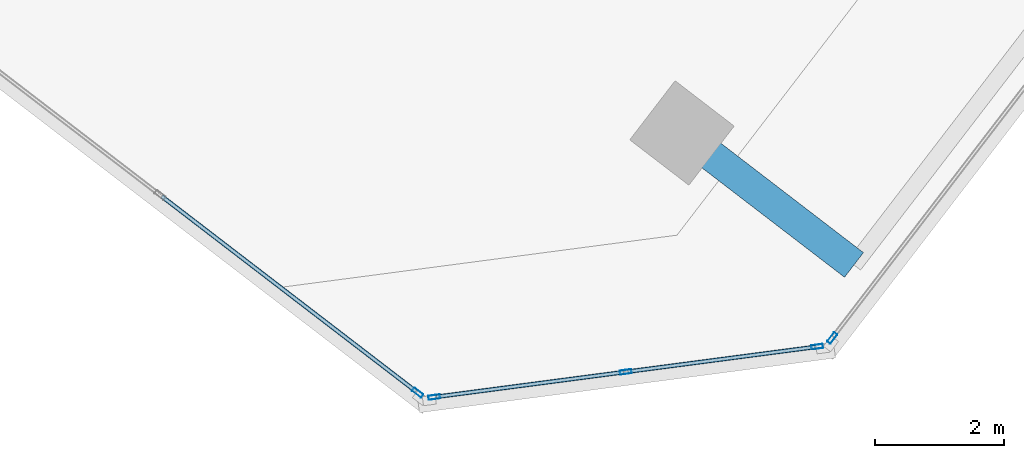
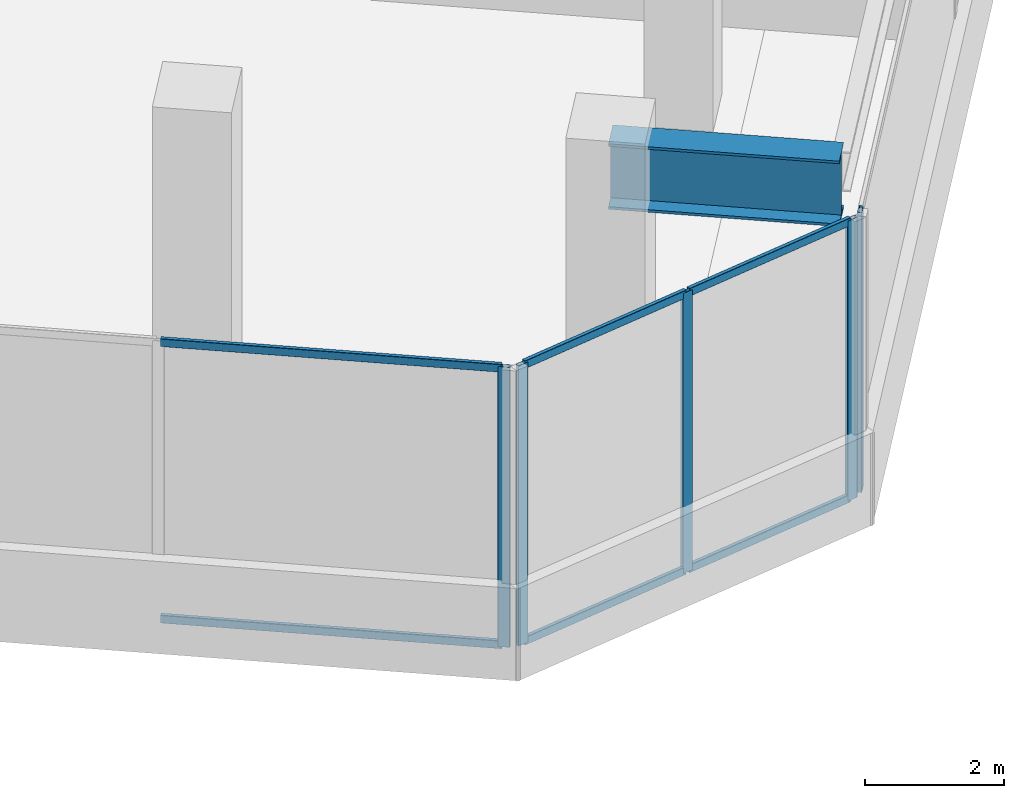
# One storey, part 6 of 23: 11 members, 1 beam, 3 elements without a shape of their own.
"""IFC4 building model written with IfcOpenShell, lengths in metres."""

from ifc_helpers import new_model, si_unit, direction, frame, origin, origin_2d, place, context, subcontext, project, spatial, hollow_rectangle, i_section, extrude, source, transform, mapped, material, material_profile, profile_set, type_object, element, aggregate, save


model = new_model("IFC4")

# Units and contexts
model_context = context("Model", 3, precision=1e-05, world=origin(), true_north=direction((0.0, 1.0)))
body_context = subcontext(model_context, "Body", "Model", "MODEL_VIEW")
ifc_project = project(units=[si_unit("LENGTHUNIT", "METRE"), si_unit("AREAUNIT", "SQUARE_METRE"), si_unit("VOLUMEUNIT", "CUBIC_METRE"), si_unit("PLANEANGLEUNIT", "RADIAN"), si_unit("MASSUNIT", "GRAM", prefix="KILO")], contexts=[model_context])

# Site, building, storey
site_placement = place(None, origin())
site = spatial("IfcSite", under=ifc_project, at=site_placement, CompositionType="ELEMENT")
building_placement = place(site_placement, origin())
building = spatial("IfcBuilding", under=site, at=building_placement, Name="Torre Montelarca", CompositionType="ELEMENT")
storey_placement = place(building_placement, frame((0.0, 0.0, 204.39990234375)))
storey = spatial("IfcBuildingStorey", under=building, at=storey_placement, Name="L46", CompositionType="ELEMENT", Elevation=204.39990234375)

# Beam
ifc_material_1 = material(Name="Steel ASTM A572 Grade 50", Category="steel")
ifc_material_profile_1 = material_profile(ifc_material_1, i_section(OverallWidth=0.47998046875, OverallDepth=1.14990234375, WebThickness=0.02197265625, FlangeThickness=0.044921875, at=origin_2d()), Name="PG1150X480X22X45", Category="steel")
ifc_profile_set_1 = profile_set([ifc_material_profile_1], Name="Steel ASTM A572 Grade 50")
beam_type = type_object("IfcBeamType", Name="BM-CG-PG1400-EXT", PredefinedType="USERDEFINED", material=ifc_profile_set_1)
shared_shape_1 = source(origin(), body_context, "Body", "SweptSolid", [
    extrude(i_section(OverallWidth=0.47998046875, OverallDepth=1.14990234375, WebThickness=0.02197265625, FlangeThickness=0.044921875, at=origin_2d()), origin(), (0.0, 0.0, 1.0), 3.349853515625),
])
beam_placement = place(storey_placement, frame((37.65380859375, 9.52099609375, 4.545166015625), z_axis=(0.793357620002, -0.608755851541, 0.0), x_axis=(0.608755851541, 0.793357620002, 0.0)))
element("IfcBeam", 1, at=beam_placement, inside=storey, type_object=beam_type, Name="L46 Sliding Tray Cantilever Girder East Y=24m (FLR)", ObjectType="CANTILEVER GIRDER", PredefinedType="USERDEFINED", context=body_context, shape_type="MappedRepresentation", body=[
    mapped(shared_shape_1, transform((0.0, 0.0, 0.0), scale=1.0)),
])

# Curtain wall, members
ifc_material_2 = material(Name="Insulated low-E laminated glass", Category="glass")
curtain_wall_type = type_object("IfcCurtainWallType", Name="CW-SYS-Z2", PredefinedType="USERDEFINED", material=ifc_material_2)
curtain_wall_1_placement = place(storey_placement, origin())
curtain_wall_1 = element("IfcCurtainWall", 2, at=curtain_wall_1_placement, inside=storey, type_object=curtain_wall_type, Name="L46 Curtain Wall Run CW-T3-L46-E05-B1", ObjectType="UNITISED GLAZING", PredefinedType="USERDEFINED")
ifc_material_3 = material(Name="Anodised aluminium AA 6063-T6", Category="aluminium")
ifc_material_profile_2 = material_profile(ifc_material_3, hollow_rectangle(XDim=0.06494140625, YDim=0.139892578125, WallThickness=0.00390625, InnerFilletRadius=0.00390625, OuterFilletRadius=0.008056640625, at=origin_2d()), Name="ALU65X140X4", Category="aluminium")
ifc_profile_set_2 = profile_set([ifc_material_profile_2], Name="Anodised aluminium AA 6063-T6")
member_type_1 = type_object("IfcMemberType", Name="CWT-ALU140", PredefinedType="USERDEFINED", material=ifc_profile_set_2)
shared_shape_2 = source(origin(), body_context, "Body", "SweptSolid", [
    extrude(hollow_rectangle(XDim=0.06494140625, YDim=0.139892578125, WallThickness=0.00390625, InnerFilletRadius=0.00390625, OuterFilletRadius=0.008056640625, at=origin_2d()), origin(), (0.0, 0.0, 1.0), 2.918701171875),
])
member_1_placement = place(storey_placement, frame((33.858642578125, 5.44384765625, 0.03271484375), z_axis=(0.991450024479, 0.130486968547, 0.0), x_axis=(-0.130486968547, 0.991450024479, 0.0)))
member_1 = element("IfcMember", 3, at=member_1_placement, type_object=member_type_1, Name="CW transom 1.1", ObjectType="TRANSOM", PredefinedType="USERDEFINED", context=body_context, shape_type="MappedRepresentation", body=[
    mapped(shared_shape_2, transform((0.0, 0.0, 0.0), scale=1.0)),
])
member_2_placement = place(storey_placement, frame((33.858642578125, 5.44384765625, 4.8876953125), z_axis=(0.991450024479, 0.130486968547, 0.0), x_axis=(-0.130486968547, 0.991450024479, 0.0)))
member_2 = element("IfcMember", 4, at=member_2_placement, type_object=member_type_1, Name="CW transom 1.2", ObjectType="TRANSOM", PredefinedType="USERDEFINED", context=body_context, shape_type="MappedRepresentation", body=[
    mapped(shared_shape_2, transform((0.0, 0.0, 0.0), scale=1.0)),
])
member_3_placement = place(storey_placement, frame((36.81689453125, 5.833251953125, 0.03271484375), z_axis=(0.991450024479, 0.130486968547, 0.0), x_axis=(-0.130486968547, 0.991450024479, 0.0)))
member_3 = element("IfcMember", 5, at=member_3_placement, type_object=member_type_1, Name="CW transom 2.1", ObjectType="TRANSOM", PredefinedType="USERDEFINED", context=body_context, shape_type="MappedRepresentation", body=[
    mapped(shared_shape_2, transform((0.0, 0.0, 0.0), scale=1.0)),
])
member_4_placement = place(storey_placement, frame((36.81689453125, 5.833251953125, 4.8876953125), z_axis=(0.991450024479, 0.130486968547, 0.0), x_axis=(-0.130486968547, 0.991450024479, 0.0)))
member_4 = element("IfcMember", 6, at=member_4_placement, type_object=member_type_1, Name="CW transom 2.2", ObjectType="TRANSOM", PredefinedType="USERDEFINED", context=body_context, shape_type="MappedRepresentation", body=[
    mapped(shared_shape_2, transform((0.0, 0.0, 0.0), scale=1.0)),
])

# Curtain wall, member
curtain_wall_2_placement = place(storey_placement, origin())
curtain_wall_2 = element("IfcCurtainWall", 7, at=curtain_wall_2_placement, inside=storey, type_object=curtain_wall_type, Name="L46 Curtain Wall Run CW-T3-L46-E04-B1", ObjectType="UNITISED GLAZING", PredefinedType="USERDEFINED")
ifc_material_profile_3 = material_profile(ifc_material_3, hollow_rectangle(XDim=0.06494140625, YDim=0.179931640625, WallThickness=0.00390625, InnerFilletRadius=0.00390625, OuterFilletRadius=0.008056640625, at=origin_2d()), Name="ALU65X180X4", Category="aluminium")
ifc_profile_set_3 = profile_set([ifc_material_profile_3], Name="Anodised aluminium AA 6063-T6")
member_type_2 = type_object("IfcMemberType", Name="CWM-ALU180", PredefinedType="MULLION", material=ifc_profile_set_3)
shared_shape_3 = source(origin(), body_context, "Body", "SweptSolid", [
    extrude(hollow_rectangle(XDim=0.06494140625, YDim=0.179931640625, WallThickness=0.00390625, InnerFilletRadius=0.00390625, OuterFilletRadius=0.008056640625, at=origin_2d()), origin(), (0.0, 0.0, 1.0), 4.920166015625),
])
member_5_placement = place(storey_placement, frame((33.568603515625, 5.5087890625, 0.0), z_axis=(0.0, 0.0, 1.0), x_axis=(0.608757874476, 0.793356067767, 0.0)))
member_5 = element("IfcMember", 8, at=member_5_placement, type_object=member_type_2, Name="CW mullion 3", PredefinedType="MULLION", context=body_context, shape_type="MappedRepresentation", body=[
    mapped(shared_shape_3, transform((0.0, 0.0, 0.0), scale=1.0)),
])

# Member
member_6_placement = place(storey_placement, frame((33.826416015625, 5.439697265625, 0.0), z_axis=(0.0, 0.0, 1.0), x_axis=(-0.130511973823, 0.991446733158, 0.0)))
member_6 = element("IfcMember", 9, at=member_6_placement, type_object=member_type_2, Name="CW mullion 1", PredefinedType="MULLION", context=body_context, shape_type="MappedRepresentation", body=[
    mapped(shared_shape_3, transform((0.0, 0.0, 0.0), scale=1.0)),
])

member_7_placement = place(storey_placement, frame((36.78466796875, 5.8291015625, 0.0), z_axis=(0.0, 0.0, 1.0), x_axis=(-0.130511973823, 0.991446733158, 0.0)))
member_7 = element("IfcMember", 10, at=member_7_placement, type_object=member_type_2, Name="CW mullion 2", PredefinedType="MULLION", context=body_context, shape_type="MappedRepresentation", body=[
    mapped(shared_shape_3, transform((0.0, 0.0, 0.0), scale=1.0)),
])

member_8_placement = place(storey_placement, frame((39.742919921875, 6.218505859375, 0.0), z_axis=(0.0, 0.0, 1.0), x_axis=(-0.130511973823, 0.991446733158, 0.0)))
member_8 = element("IfcMember", 11, at=member_8_placement, type_object=member_type_2, Name="CW mullion 3", PredefinedType="MULLION", context=body_context, shape_type="MappedRepresentation", body=[
    mapped(shared_shape_3, transform((0.0, 0.0, 0.0), scale=1.0)),
])

aggregate(curtain_wall_1, [member_6, member_7, member_8, member_1, member_2, member_3, member_4])

# Curtain wall, member
curtain_wall_3_placement = place(storey_placement, origin())
curtain_wall_3 = element("IfcCurtainWall", 12, at=curtain_wall_3_placement, inside=storey, type_object=curtain_wall_type, Name="L46 Curtain Wall Run CW-T3-L46-E06-B1", ObjectType="UNITISED GLAZING", PredefinedType="USERDEFINED")
member_9_placement = place(storey_placement, frame((39.97412109375, 6.35205078125, 0.0), z_axis=(0.0, 0.0, 1.0), x_axis=(-0.793353125775, 0.608761708572, 0.0)))
member_9 = element("IfcMember", 13, at=member_9_placement, type_object=member_type_2, Name="CW mullion 1", PredefinedType="MULLION", context=body_context, shape_type="MappedRepresentation", body=[
    mapped(shared_shape_3, transform((0.0, 0.0, 0.0), scale=1.0)),
])
aggregate(curtain_wall_3, [member_9])

# Member
shared_shape_4 = source(origin(), body_context, "Body", "SweptSolid", [
    extrude(hollow_rectangle(XDim=0.06494140625, YDim=0.139892578125, WallThickness=0.00390625, InnerFilletRadius=0.00390625, OuterFilletRadius=0.008056640625, at=origin_2d()), origin(), (0.0, 0.0, 1.0), 4.948486328125),
])
member_10_placement = place(storey_placement, frame((29.616943359375, 8.541015625, 0.03271484375), z_axis=(0.793362520658, -0.608749464735, 0.0), x_axis=(0.608749464735, 0.793362520658, 0.0)))
member_10 = element("IfcMember", 14, at=member_10_placement, type_object=member_type_1, Name="CW transom 2.1", ObjectType="TRANSOM", PredefinedType="USERDEFINED", context=body_context, shape_type="MappedRepresentation", body=[
    mapped(shared_shape_4, transform((0.0, 0.0, 0.0), scale=1.0)),
])

member_11_placement = place(storey_placement, frame((29.616943359375, 8.541015625, 4.8876953125), z_axis=(0.793362520658, -0.608749464735, 0.0), x_axis=(0.608749464735, 0.793362520658, 0.0)))
member_11 = element("IfcMember", 15, at=member_11_placement, type_object=member_type_1, Name="CW transom 2.2", ObjectType="TRANSOM", PredefinedType="USERDEFINED", context=body_context, shape_type="MappedRepresentation", body=[
    mapped(shared_shape_4, transform((0.0, 0.0, 0.0), scale=1.0)),
])

aggregate(curtain_wall_2, [member_5, member_10, member_11])

save(model, "model.ifc")
